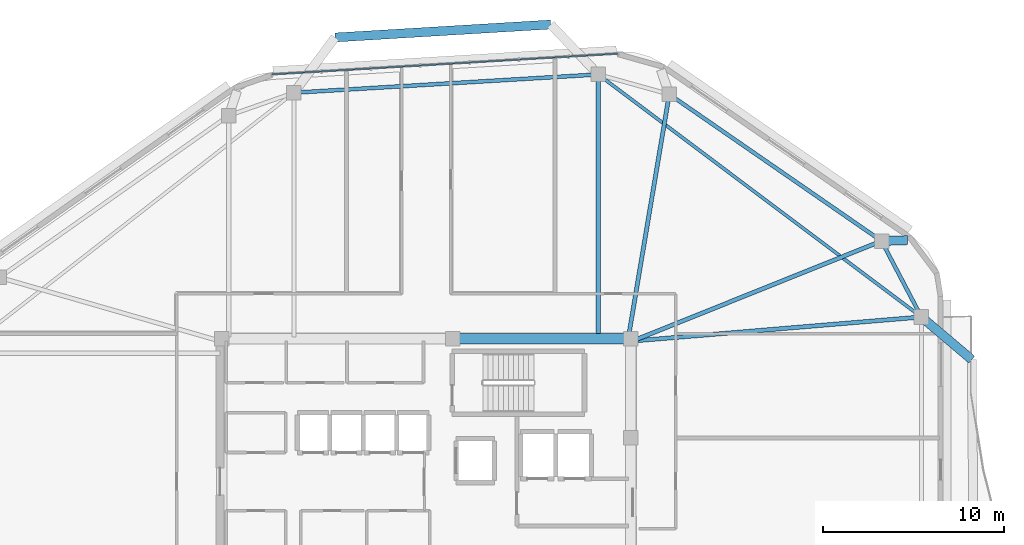
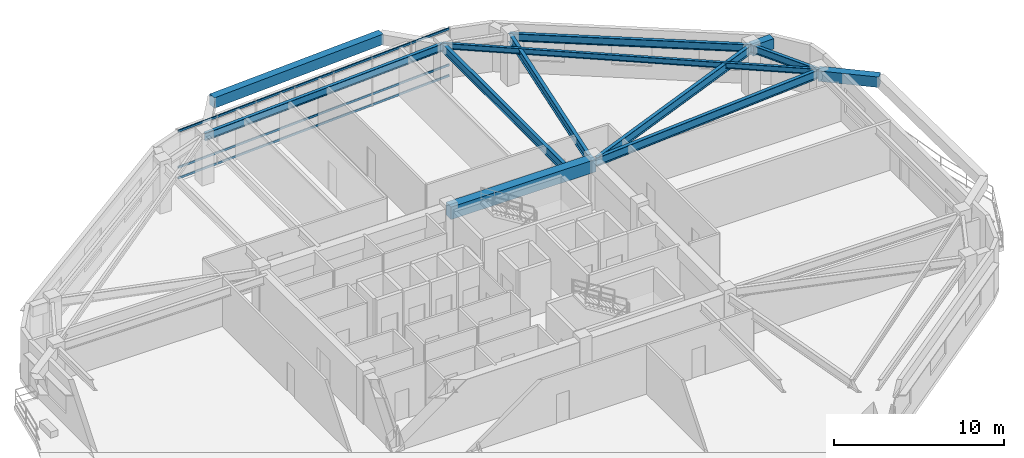
# One storey, part 3 of 12: 12 beams, 3 members, 1 element without a shape of its own.
"""IFC4 building model written with IfcOpenShell, lengths in metres."""

from ifc_helpers import new_model, si_unit, direction, frame, origin, origin_2d, place, context, subcontext, project, spatial, rectangle, hollow_rectangle, i_section, extrude, material, material_profile, profile_set, type_object, element, aggregate, save


model = new_model("IFC4")

# Units and contexts
model_context = context("Model", 3, precision=1e-05, world=origin(), true_north=direction((0.0, 1.0)))
body_context = subcontext(model_context, "Body", "Model", "MODEL_VIEW")
ifc_project = project(units=[si_unit("LENGTHUNIT", "METRE"), si_unit("AREAUNIT", "SQUARE_METRE"), si_unit("VOLUMEUNIT", "CUBIC_METRE"), si_unit("PLANEANGLEUNIT", "RADIAN"), si_unit("MASSUNIT", "GRAM", prefix="KILO")], contexts=[model_context])

# Site, building, storey
site_placement = place(None, origin())
site = spatial("IfcSite", under=ifc_project, at=site_placement, CompositionType="ELEMENT")
building_placement = place(site_placement, origin())
building = spatial("IfcBuilding", under=site, at=building_placement, Name="Zulverin Broadcast Headquarters", CompositionType="ELEMENT")
storey_placement = place(building_placement, frame((0.0, 0.0, 240.199951171875)))
storey = spatial("IfcBuildingStorey", under=building, at=storey_placement, Name="L61", CompositionType="ELEMENT", Elevation=240.199951171875)

# Beams
ifc_material_1 = material(Name="Concrete C60/75", Category="concrete")
ifc_material_profile_1 = material_profile(ifc_material_1, rectangle(XDim=0.60009765625, YDim=0.89990234375, at=origin_2d()), Name="Concrete C60/75", Category="concrete")
ifc_profile_set_1 = profile_set([ifc_material_profile_1], Name="Concrete C60/75")
beam_type_1 = type_object("IfcBeamType", Name="BM-CB-600x900", PredefinedType="LINTEL", material=ifc_profile_set_1)
beam_1_placement = place(storey_placement, frame((48.27490234375, 33.074951171875, 3.06005859375), z_axis=(-1.0, 0.0, 0.0), x_axis=(0.0, -1.0, 0.0)))
element("IfcBeam", 1, at=beam_1_placement, inside=storey, type_object=beam_type_1, Name="L61 Core Coupling Girder K05-K06", PredefinedType="LINTEL", context=body_context, shape_type="SweptSolid", body=[
    extrude(rectangle(XDim=0.60009765625, YDim=0.89990234375, at=origin_2d()), origin(), (0.0, 0.0, 1.0), 9.824951171875),
])
ifc_material_2 = material(Name="Concrete C40/50", Category="concrete")
ifc_material_profile_2 = material_profile(ifc_material_2, rectangle(XDim=0.5, YDim=0.75, at=origin_2d()), Name="Concrete C40/50", Category="concrete")
ifc_profile_set_2 = profile_set([ifc_material_profile_2], Name="Concrete C40/50")
beam_type_2 = type_object("IfcBeamType", Name="BM-RC-500x750", PredefinedType="BEAM", material=ifc_profile_set_2)
beam_2_placement = place(storey_placement, frame((62.102783203125, 38.465087890625, 3.135009765625), z_axis=(0.99949018153, 0.031927684309, 0.0), x_axis=(-0.031927684309, 0.99949018153, 0.0)))
element("IfcBeam", 2, at=beam_2_placement, inside=storey, type_object=beam_type_2, Name="L62 Plate Overhang Back-Spanned Beam OVR-07", PredefinedType="BEAM", context=body_context, shape_type="SweptSolid", body=[
    extrude(rectangle(XDim=0.5, YDim=0.75, at=origin_2d()), origin(), (0.0, 0.0, 1.0), 1.429931640625),
])
beam_3_placement = place(storey_placement, frame((64.300048828125, 34.275634765625, 3.135009765625), z_axis=(0.763363371281, -0.645969320778, 0.0), x_axis=(0.645969320778, 0.763363371281, 0.0)))
element("IfcBeam", 3, at=beam_3_placement, inside=storey, type_object=beam_type_2, Name="L62 Balcony Column-Framed Cantilever BAL_E-2", PredefinedType="BEAM", context=body_context, shape_type="SweptSolid", body=[
    extrude(rectangle(XDim=0.5, YDim=0.75, at=origin_2d()), origin(), (0.0, 0.0, 1.0), 3.637451171875),
])
beam_4_placement = place(storey_placement, frame((43.86181640625, 50.401123046875, 3.135009765625), z_axis=(-0.998203619849, -0.059912714185, 0.0), x_axis=(0.059912714185, -0.998203619849, 0.0)))
element("IfcBeam", 4, at=beam_4_placement, inside=storey, type_object=beam_type_2, Name="L62 Balcony Outer Edge Trimmer Beam BAL_N", PredefinedType="BEAM", context=body_context, shape_type="SweptSolid", body=[
    extrude(rectangle(XDim=0.5, YDim=0.75, at=origin_2d()), origin(), (0.0, 0.0, 1.0), 11.9111328125),
])
ifc_material_3 = material(Name="Structural steel S355JR", Category="steel")
ifc_material_profile_3 = material_profile(ifc_material_3, i_section(OverallWidth=0.179443359375, OverallDepth=0.412841796875, WebThickness=0.009521484375, FlangeThickness=0.01611328125, at=origin_2d()), Name="Structural steel S355JR", Category="steel")
ifc_profile_set_3 = profile_set([ifc_material_profile_3], Name="Structural steel S355JR")
beam_type_3 = type_object("IfcBeamType", Name="BM-UB-406", PredefinedType="JOIST", material=ifc_profile_set_3)
beam_5_placement = place(storey_placement, frame((64.300048828125, 34.275634765625, 3.3037109375), z_axis=(-0.799809280949, 0.600254207905, 0.0), x_axis=(-0.600254207905, -0.799809280949, 0.0)))
element("IfcBeam", 5, at=beam_5_placement, inside=storey, type_object=beam_type_3, Name="L61 Chordal Floor Joist J-02", PredefinedType="JOIST", context=body_context, shape_type="SweptSolid", body=[
    extrude(i_section(OverallWidth=0.179443359375, OverallDepth=0.412841796875, WebThickness=0.009521484375, FlangeThickness=0.01611328125, at=origin_2d()), origin(), (0.0, 0.0, 1.0), 22.278564453125),
])
ifc_material_profile_4 = material_profile(ifc_material_3, i_section(OverallWidth=0.2119140625, OverallDepth=0.54443359375, WebThickness=0.0126953125, FlangeThickness=0.021240234375, at=origin_2d()), Name="Structural steel S355JR", Category="steel")
ifc_profile_set_4 = profile_set([ifc_material_profile_4], Name="Structural steel S355JR")
beam_type_4 = type_object("IfcBeamType", Name="BM-UB-533", PredefinedType="SPANDREL", material=ifc_profile_set_4)
beam_6_placement = place(storey_placement, frame((64.300048828125, 34.275634765625, 3.23779296875), z_axis=(-0.464469748171, 0.885588986513, 0.0), x_axis=(-0.885588986513, -0.464469748171, 0.0)))
element("IfcBeam", 6, at=beam_6_placement, inside=storey, type_object=beam_type_4, Name="L61 Perimeter Spandrel Beam SP-06", PredefinedType="SPANDREL", context=body_context, shape_type="SweptSolid", body=[
    extrude(i_section(OverallWidth=0.2119140625, OverallDepth=0.54443359375, WebThickness=0.0126953125, FlangeThickness=0.021240234375, at=origin_2d()), origin(), (0.0, 0.0, 1.0), 4.730712890625),
])
beam_7_placement = place(storey_placement, frame((62.102783203125, 38.465087890625, 3.23779296875), z_axis=(-0.822652126292, 0.568545054597, 0.0), x_axis=(-0.568545054597, -0.822652126292, 0.0)))
element("IfcBeam", 7, at=beam_7_placement, inside=storey, type_object=beam_type_4, Name="L61 Perimeter Spandrel Beam SP-07", PredefinedType="SPANDREL", context=body_context, shape_type="SweptSolid", body=[
    extrude(i_section(OverallWidth=0.2119140625, OverallDepth=0.54443359375, WebThickness=0.0126953125, FlangeThickness=0.021240234375, at=origin_2d()), origin(), (0.0, 0.0, 1.0), 14.228271484375),
])
beam_8_placement = place(storey_placement, frame((46.4814453125, 47.6484375, 3.23779296875), z_axis=(-0.99820314332, -0.059920653088, 0.0), x_axis=(0.059920653088, -0.99820314332, 0.0)))
element("IfcBeam", 8, at=beam_8_placement, inside=storey, type_object=beam_type_4, Name="L61 Perimeter Spandrel Beam SP-09", PredefinedType="SPANDREL", context=body_context, shape_type="SweptSolid", body=[
    extrude(i_section(OverallWidth=0.2119140625, OverallDepth=0.54443359375, WebThickness=0.0126953125, FlangeThickness=0.021240234375, at=origin_2d()), origin(), (0.0, 0.0, 1.0), 16.81103515625),
])
ifc_material_profile_5 = material_profile(ifc_material_3, i_section(OverallWidth=0.230224609375, OverallDepth=0.6171875, WebThickness=0.01318359375, FlangeThickness=0.022216796875, at=origin_2d()), Name="Structural steel S355JR", Category="steel")
ifc_profile_set_5 = profile_set([ifc_material_profile_5], Name="Structural steel S355JR")
beam_type_5 = type_object("IfcBeamType", Name="BM-UB-610", PredefinedType="BEAM", material=ifc_profile_set_5)
beam_9_placement = place(storey_placement, frame((48.375, 32.949951171875, 3.201416015625), z_axis=(0.996553024533, 0.082958238256, 0.0), x_axis=(-0.082958238256, 0.996553024533, 0.0)))
element("IfcBeam", 9, at=beam_9_placement, inside=storey, type_object=beam_type_5, Name="L61 Radial Primary Floor Beam RB-06", PredefinedType="BEAM", context=body_context, shape_type="SweptSolid", body=[
    extrude(i_section(OverallWidth=0.230224609375, OverallDepth=0.6171875, WebThickness=0.01318359375, FlangeThickness=0.022216796875, at=origin_2d()), origin(), (0.0, 0.0, 1.0), 15.980224609375),
])
beam_10_placement = place(storey_placement, frame((48.375, 32.949951171875, 3.201416015625), z_axis=(0.927915690744, 0.37279011638, 0.0), x_axis=(-0.37279011638, 0.927915690744, 0.0)))
element("IfcBeam", 10, at=beam_10_placement, inside=storey, type_object=beam_type_5, Name="L61 Radial Primary Floor Beam RB-07", PredefinedType="BEAM", context=body_context, shape_type="SweptSolid", body=[
    extrude(i_section(OverallWidth=0.230224609375, OverallDepth=0.6171875, WebThickness=0.01318359375, FlangeThickness=0.022216796875, at=origin_2d()), origin(), (0.0, 0.0, 1.0), 14.794189453125),
])
beam_11_placement = place(storey_placement, frame((48.14990234375, 33.175048828125, 3.201416015625), z_axis=(0.165700339104, 0.986176149388, 0.0), x_axis=(-0.986176149388, 0.165700339104, 0.0)))
element("IfcBeam", 11, at=beam_11_placement, inside=storey, type_object=beam_type_5, Name="L61 Radial Primary Floor Beam RB-08", PredefinedType="BEAM", context=body_context, shape_type="SweptSolid", body=[
    extrude(i_section(OverallWidth=0.230224609375, OverallDepth=0.6171875, WebThickness=0.01318359375, FlangeThickness=0.022216796875, at=origin_2d()), origin(), (0.0, 0.0, 1.0), 13.56689453125),
])
beam_12_placement = place(storey_placement, frame((46.4814453125, 33.175048828125, 3.201416015625), z_axis=(0.0, 1.0, 0.0), x_axis=(-1.0, 0.0, 0.0)))
element("IfcBeam", 12, at=beam_12_placement, inside=storey, type_object=beam_type_5, Name="L61 Radial Primary Floor Beam RB-09", PredefinedType="BEAM", context=body_context, shape_type="SweptSolid", body=[
    extrude(i_section(OverallWidth=0.230224609375, OverallDepth=0.6171875, WebThickness=0.01318359375, FlangeThickness=0.022216796875, at=origin_2d()), origin(), (0.0, 0.0, 1.0), 14.473388671875),
])

# Curtain wall, members
ifc_material_4 = material(Name="High-zone solar-control unitised curtain wall", Category="aluminium")
curtain_wall_type = type_object("IfcCurtainWallType", Name="CW-TWR-UPP", PredefinedType="USERDEFINED", material=ifc_material_4)
curtain_wall_placement = place(storey_placement, origin())
curtain_wall = element("IfcCurtainWall", 13, at=curtain_wall_placement, inside=storey, type_object=curtain_wall_type, Name="L61 Unitised Curtain Wall CW-L61-E5", ObjectType="UNITISED CURTAIN WALL", PredefinedType="USERDEFINED")
ifc_material_5 = material(Name="Anodized pale-metal aluminium alloy 6063-T6", Category="aluminium")
ifc_material_profile_6 = material_profile(ifc_material_5, hollow_rectangle(XDim=0.074951171875, YDim=0.14990234375, WallThickness=0.0048828125, at=origin_2d()), Name="Anodized pale-metal aluminium alloy 6063-T6", Category="aluminium")
ifc_profile_set_6 = profile_set([ifc_material_profile_6], Name="Anodized pale-metal aluminium alloy 6063-T6")
member_type = type_object("IfcMemberType", Name="CW-TRN-150", PredefinedType="USERDEFINED", material=ifc_profile_set_6)
member_1_placement = place(storey_placement, frame((47.564697265625, 48.79541015625, 0.074951171875), z_axis=(-0.998202767485, -0.059926913695, 0.0), x_axis=(0.059926913695, -0.998202767485, 0.0)))
member_1 = element("IfcMember", 14, at=member_1_placement, type_object=member_type, Name="CW-L61-E5 Transom 0", ObjectType="TRANSOM", PredefinedType="USERDEFINED", context=body_context, shape_type="SweptSolid", body=[
    extrude(hollow_rectangle(XDim=0.074951171875, YDim=0.14990234375, WallThickness=0.0048828125, at=origin_2d()), origin(), (0.0, 0.0, 1.0), 19.111083984375),
])
member_2_placement = place(storey_placement, frame((47.564697265625, 48.79541015625, 0.842529296875), z_axis=(-0.998202767485, -0.059926913695, 0.0), x_axis=(0.059926913695, -0.998202767485, 0.0)))
member_2 = element("IfcMember", 15, at=member_2_placement, type_object=member_type, Name="CW-L61-E5 Transom 1", ObjectType="TRANSOM", PredefinedType="USERDEFINED", context=body_context, shape_type="SweptSolid", body=[
    extrude(hollow_rectangle(XDim=0.074951171875, YDim=0.14990234375, WallThickness=0.0048828125, at=origin_2d()), origin(), (0.0, 0.0, 1.0), 19.111083984375),
])
member_3_placement = place(storey_placement, frame((47.564697265625, 48.79541015625, 3.43505859375), z_axis=(-0.998202767485, -0.059926913695, 0.0), x_axis=(0.059926913695, -0.998202767485, 0.0)))
member_3 = element("IfcMember", 16, at=member_3_placement, type_object=member_type, Name="CW-L61-E5 Transom 2", ObjectType="TRANSOM", PredefinedType="USERDEFINED", context=body_context, shape_type="SweptSolid", body=[
    extrude(hollow_rectangle(XDim=0.074951171875, YDim=0.14990234375, WallThickness=0.0048828125, at=origin_2d()), origin(), (0.0, 0.0, 1.0), 19.111083984375),
])
aggregate(curtain_wall, [member_1, member_2, member_3])

save(model, "model.ifc")
